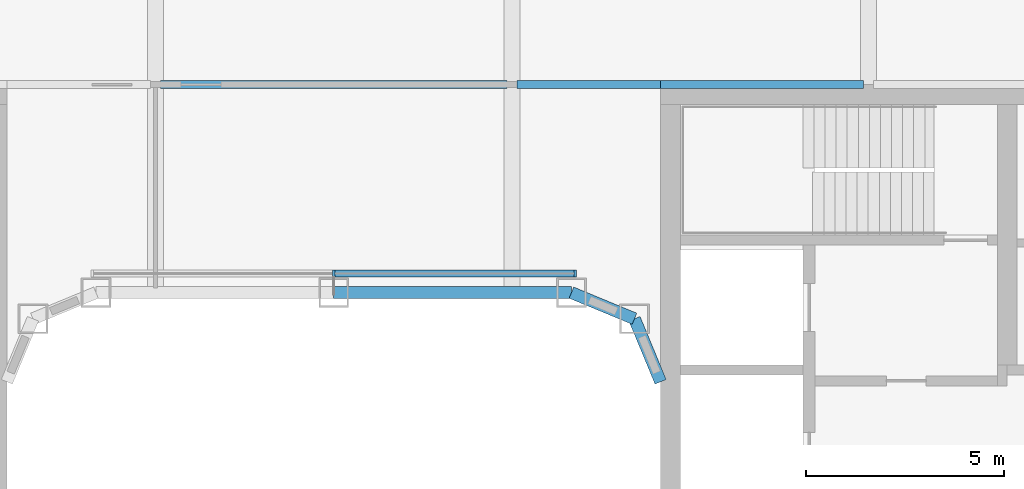
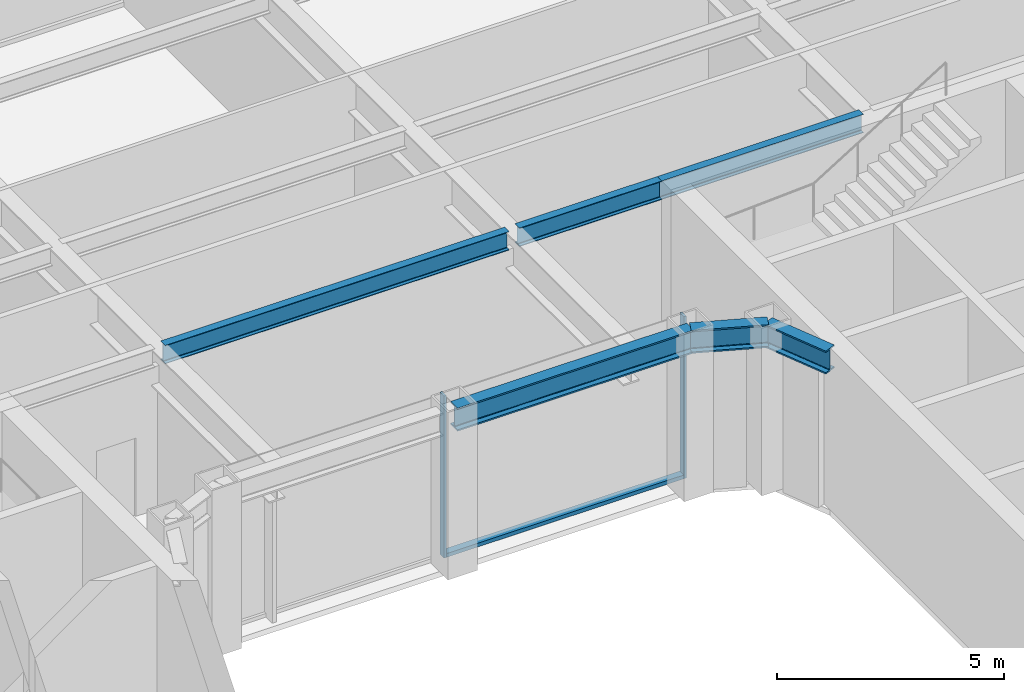
# One storey, part 8 of 29: 6 beams, 3 members, 1 element without a shape of its own.
"""IFC4 building model written with IfcOpenShell, lengths in metres."""

from ifc_helpers import new_model, si_unit, direction, frame, origin, origin_2d, place, context, subcontext, project, spatial, rectangle, i_section, extrude, material, layer, layer_set, material_profile, profile_set, type_object, element, aggregate, save


model = new_model("IFC4")

# Units and contexts
model_context = context("Model", 3, precision=1e-05, world=origin(), true_north=direction((0.0, 1.0)))
body_context = subcontext(model_context, "Body", "Model", "MODEL_VIEW")
ifc_project = project(units=[si_unit("LENGTHUNIT", "METRE"), si_unit("AREAUNIT", "SQUARE_METRE"), si_unit("VOLUMEUNIT", "CUBIC_METRE"), si_unit("PLANEANGLEUNIT", "RADIAN"), si_unit("MASSUNIT", "GRAM", prefix="KILO")], contexts=[model_context])

# Site, building, storey
site_placement = place(None, origin())
site = spatial("IfcSite", under=ifc_project, at=site_placement, CompositionType="ELEMENT")
building_placement = place(site_placement, origin())
building = spatial("IfcBuilding", under=site, at=building_placement, Name="Siwar Civic Tower", CompositionType="ELEMENT")
storey_placement = place(building_placement, frame((0.0, 0.0, 67.199951171875)))
storey = spatial("IfcBuildingStorey", under=building, at=storey_placement, Name="L14", CompositionType="ELEMENT", Elevation=67.199951171875)

# Curtain wall, members
ifc_material_1 = material(Name="Aluminium and glass", Category="aluminium")
ifc_layer = layer(ifc_material_1, 0.179931640625)
ifc_layer_set = layer_set([ifc_layer], Name="Aluminium and glass")
curtain_wall_type = type_object("IfcCurtainWallType", Name="ENV-CW-W", PredefinedType="NOTDEFINED", material=ifc_layer_set)
curtain_wall_placement = place(storey_placement, origin())
curtain_wall = element("IfcCurtainWall", 1, at=curtain_wall_placement, inside=storey, type_object=curtain_wall_type, Name="Curtain wall W WN", PredefinedType="NOTDEFINED")
ifc_material_2 = material(Name="Aluminium 6063-T6", Category="aluminium")
ifc_material_profile_1 = material_profile(ifc_material_2, rectangle(XDim=0.179931640625, YDim=0.06005859375, at=origin_2d()), Name="AL 180x60")
ifc_profile_set_1 = profile_set([ifc_material_profile_1], Name="Aluminium 6063-T6")
member_type_1 = type_object("IfcMemberType", Name="ENV-MULLION-W", PredefinedType="MULLION", material=ifc_profile_set_1)
member_1_placement = place(storey_placement, frame((6.096435546875, 8.735107421875, 0.0), z_axis=(0.0, 0.0, 1.0), x_axis=(0.0, -1.0, 0.0)))
member_1 = element("IfcMember", 2, at=member_1_placement, type_object=member_type_1, Name="Mullion W WN 1", PredefinedType="MULLION", context=body_context, shape_type="SweptSolid", body=[
    extrude(rectangle(XDim=0.179931640625, YDim=0.06005859375, at=origin_2d()), origin(), (0.0, 0.0, 1.0), 4.35009765625),
])
member_2_placement = place(storey_placement, frame((0.0, 8.735107421875, 0.0), z_axis=(0.0, 0.0, 1.0), x_axis=(0.0, -1.0, 0.0)))
member_2 = element("IfcMember", 3, at=member_2_placement, type_object=member_type_1, Name="Mullion W WN 2", PredefinedType="MULLION", context=body_context, shape_type="SweptSolid", body=[
    extrude(rectangle(XDim=0.179931640625, YDim=0.06005859375, at=origin_2d()), origin(), (0.0, 0.0, 1.0), 4.35009765625),
])
ifc_material_3 = material(Name="Aluminium 6063-T6", Category="aluminium")
ifc_material_profile_2 = material_profile(ifc_material_3, rectangle(XDim=0.179931640625, YDim=0.10009765625, at=origin_2d()), Name="AL 180x100")
ifc_profile_set_2 = profile_set([ifc_material_profile_2], Name="Aluminium 6063-T6")
member_type_2 = type_object("IfcMemberType", Name="ENV-TRANSOM-W", PredefinedType="USERDEFINED", material=ifc_profile_set_2)
member_3_placement = place(storey_placement, frame((6.06640625, 8.735107421875, 0.050048828125), z_axis=(-1.0, 0.0, 0.0), x_axis=(0.0, -1.0, 0.0)))
member_3 = element("IfcMember", 4, at=member_3_placement, type_object=member_type_2, Name="Transom W WN 1", ObjectType="TRANSOM", PredefinedType="USERDEFINED", context=body_context, shape_type="SweptSolid", body=[
    extrude(rectangle(XDim=0.179931640625, YDim=0.10009765625, at=origin_2d()), origin(), (0.0, 0.0, 1.0), 6.036376953125),
])
aggregate(curtain_wall, [member_1, member_2, member_3])

# Beams
ifc_material_4 = material(Name="Steel S355", Category="steel")
ifc_material_profile_3 = material_profile(ifc_material_4, i_section(OverallWidth=0.199951171875, OverallDepth=0.5, WebThickness=0.01025390625, FlangeThickness=0.01611328125, FilletRadius=0.02099609375, at=origin_2d()), Name="IPE500")
ifc_profile_set_3 = profile_set([ifc_material_profile_3], Name="Steel S355")
beam_type_1 = type_object("IfcBeamType", Name="STR-FB-IPE500", PredefinedType="JOIST", material=ifc_profile_set_3)
beam_1_placement = place(storey_placement, frame((-4.3701171875, 13.5, 4.10009765625), z_axis=(1.0, 0.0, 0.0), x_axis=(0.0, 1.0, 0.0)))
element("IfcBeam", 5, at=beam_1_placement, inside=storey, type_object=beam_type_1, Name="L14/bm/F041", PredefinedType="JOIST", context=body_context, shape_type="SweptSolid", body=[
    extrude(i_section(OverallWidth=0.199951171875, OverallDepth=0.5, WebThickness=0.01025390625, FlangeThickness=0.01611328125, FilletRadius=0.02099609375, at=origin_2d()), origin(), (0.0, 0.0, 1.0), 8.740234375),
])
beam_2_placement = place(storey_placement, frame((4.6298828125, 13.5, 4.10009765625), z_axis=(1.0, 0.0, 0.0), x_axis=(0.0, 1.0, 0.0)))
element("IfcBeam", 6, at=beam_2_placement, inside=storey, type_object=beam_type_1, Name="L14/bm/F042", PredefinedType="JOIST", context=body_context, shape_type="SweptSolid", body=[
    extrude(i_section(OverallWidth=0.199951171875, OverallDepth=0.5, WebThickness=0.01025390625, FlangeThickness=0.01611328125, FilletRadius=0.02099609375, at=origin_2d()), origin(), (0.0, 0.0, 1.0), 3.6201171875),
])
beam_3_placement = place(storey_placement, frame((8.25, 13.5, 4.10009765625), z_axis=(1.0, 0.0, 0.0), x_axis=(0.0, 1.0, 0.0)))
element("IfcBeam", 7, at=beam_3_placement, inside=storey, type_object=beam_type_1, Name="L14/bm/F043", PredefinedType="JOIST", context=body_context, shape_type="SweptSolid", body=[
    extrude(i_section(OverallWidth=0.199951171875, OverallDepth=0.5, WebThickness=0.01025390625, FlangeThickness=0.01611328125, FilletRadius=0.02099609375, at=origin_2d()), origin(), (0.0, 0.0, 1.0), 5.1201171875),
])
ifc_material_5 = material(Name="Steel S355", Category="steel")
ifc_material_profile_4 = material_profile(ifc_material_5, i_section(OverallWidth=0.304931640625, OverallDepth=0.6201171875, WebThickness=0.02099609375, FlangeThickness=0.0400390625, FilletRadius=0.027099609375, at=origin_2d()), Name="HEM600")
ifc_profile_set_4 = profile_set([ifc_material_profile_4], Name="Steel S355")
beam_type_2 = type_object("IfcBeamType", Name="STR-RB-HEM600", PredefinedType="BEAM", material=ifc_profile_set_4)
beam_4_placement = place(storey_placement, frame((0.0, 8.25, 4.0400390625), z_axis=(1.0, 0.0, 0.0), x_axis=(0.0, 1.0, 0.0)))
element("IfcBeam", 8, at=beam_4_placement, inside=storey, type_object=beam_type_2, Name="L14/bm/RN2", PredefinedType="BEAM", context=body_context, shape_type="SweptSolid", body=[
    extrude(i_section(OverallWidth=0.304931640625, OverallDepth=0.6201171875, WebThickness=0.02099609375, FlangeThickness=0.0400390625, FilletRadius=0.027099609375, at=origin_2d()), origin(), (0.0, 0.0, 1.0), 6.0),
])
for number, where, z_axis, x_axis, name in (
    (9, (6.0, 8.25, 4.0400390625), (0.923901072997, -0.382631424892, 0.0), (0.382631424892, 0.923901072997, 0.0), "L14/bm/RN3"),
    (10, (7.591064453125, 7.591064453125, 4.0400390625), (0.382631424892, -0.923901072997, 0.0), (0.923901072997, 0.382631424892, 0.0), "L14/bm/RNEE"),
):
    element("IfcBeam", number, at=place(storey_placement, frame(where, z_axis=z_axis, x_axis=x_axis)), inside=storey, type_object=beam_type_2, Name=name, PredefinedType="BEAM", context=body_context, shape_type="SweptSolid", body=[
        extrude(i_section(OverallWidth=0.304931640625, OverallDepth=0.6201171875, WebThickness=0.02099609375, FlangeThickness=0.0400390625, FilletRadius=0.027099609375, at=origin_2d()), origin(), (0.0, 0.0, 1.0), 1.72216796875),
    ])

save(model, "model.ifc")
